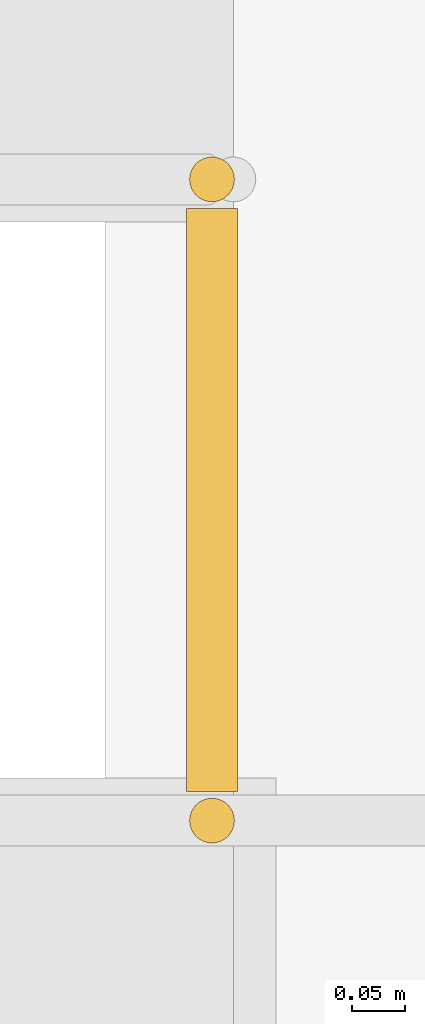
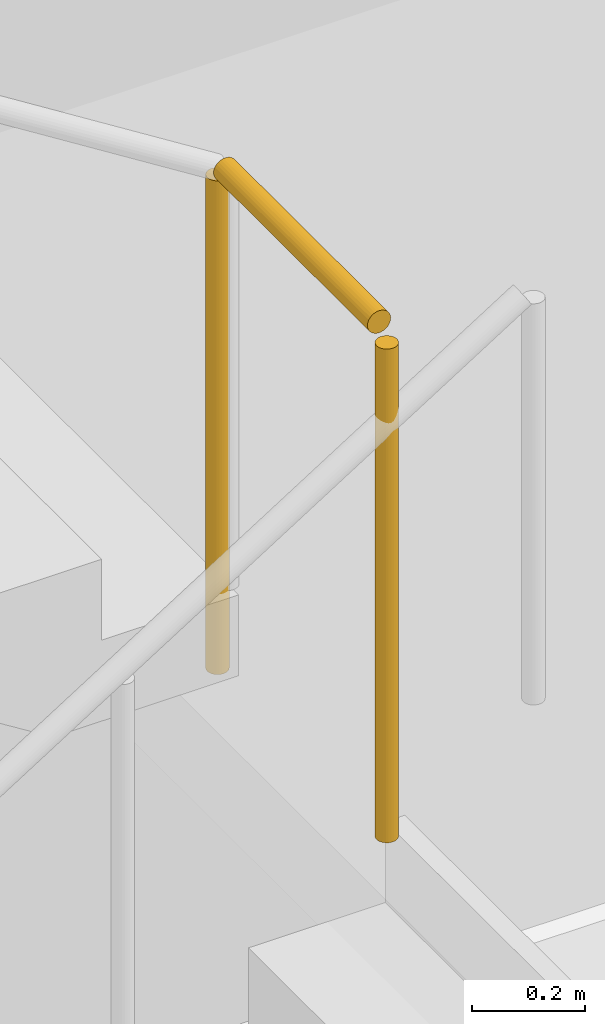
# One storey, part 80 of 83: 1 railing.
"""IFC4 building model written with IfcOpenShell, lengths in metres."""

from ifc_helpers import new_model, si_unit, direction, frame, origin, origin_2d, place, context, subcontext, project, spatial, circle, extrude, material, type_object, element, save


model = new_model("IFC4")

# Units and contexts
model_context = context("Model", 3, precision=1e-05, world=origin(), true_north=direction((0.0, 1.0)))
body_context = subcontext(model_context, "Body", "Model", "MODEL_VIEW")
ifc_project = project(units=[si_unit("LENGTHUNIT", "METRE"), si_unit("AREAUNIT", "SQUARE_METRE"), si_unit("VOLUMEUNIT", "CUBIC_METRE"), si_unit("PLANEANGLEUNIT", "RADIAN"), si_unit("MASSUNIT", "GRAM", prefix="KILO"), si_unit("THERMODYNAMICTEMPERATUREUNIT", "KELVIN"), si_unit("POWERUNIT", "WATT")], contexts=[model_context])

# Site, building, storey
site_placement = place(None, origin())
site = spatial("IfcSite", under=ifc_project, at=site_placement, CompositionType="ELEMENT")
building_placement = place(site_placement, origin())
building = spatial("IfcBuilding", under=site, at=building_placement, Name="Darbajah Civic Hall", CompositionType="ELEMENT")
storey_placement = place(building_placement, frame((0.0, 0.0, 18.0)))
storey = spatial("IfcBuildingStorey", under=building, at=storey_placement, Name="L04", CompositionType="ELEMENT", Elevation=18.0)

# Railing
ifc_material = material(Name="Brushed Bronze and Laminated Safety Glass", Category="glass")
railing_type = type_object("IfcRailingType", Name="Interior Guard Balustrade", PredefinedType="BALUSTRADE", material=ifc_material)
railing_placement = place(storey_placement, frame((82.5400390625, 64.39990234375, 2.10009765625)))
element("IfcRailing", 1, at=railing_placement, inside=storey, type_object=railing_type, Name="ST03 L04 landing well guard", PredefinedType="BALUSTRADE", context=body_context, shape_type="SweptSolid", body=[
    extrude(circle(Radius=0.02392578125, at=origin_2d()), frame((0.0, 0.02734375, 1.09619140625), z_axis=(0.0, 1.0, 0.0), x_axis=(-1.0, 0.0, 0.0)), (0.0, 0.0, 1.0), 0.54541015625),
    extrude(circle(Radius=0.02099609375, at=origin_2d()), origin(), (0.0, 0.0, 1.0), 1.068115234375),
    extrude(circle(Radius=0.02099609375, at=origin_2d()), frame((0.0, 0.60009765625, 0.0)), (0.0, 0.0, 1.0), 1.068115234375),
])

save(model, "model.ifc")
